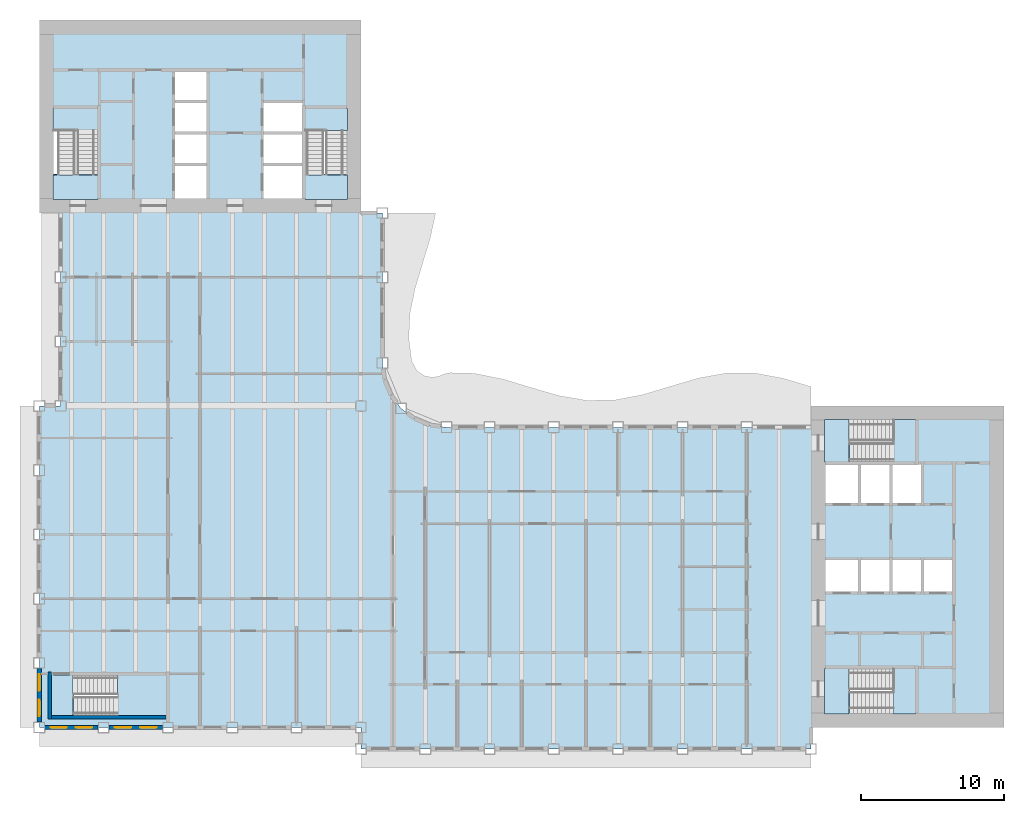
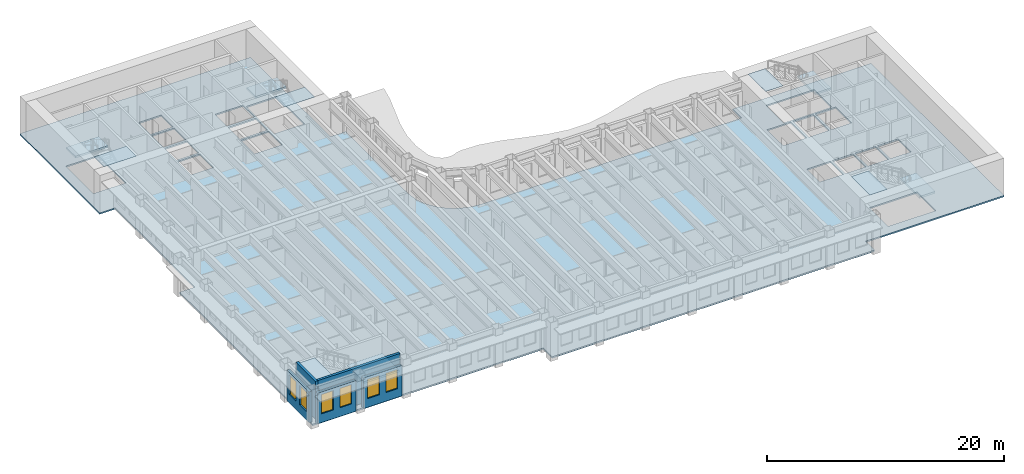
# One storey, part 2 of 17: 11 slabs, 6 windows, 5 walls, 6 openings, 5 elements without a shape of their own.
"""IFC4 building model written with IfcOpenShell, lengths in metres."""

from ifc_helpers import new_model, si_unit, direction, frame, frame_2d, origin, place, context, subcontext, project, spatial, polyline, rectangle, outline, extrude, material, layer, layer_set, type_object, element, fill, aggregate, save


model = new_model("IFC4")

# Units and contexts
model_context = context("Model", 3, precision=1e-05, world=origin(), true_north=direction((0.0, 1.0)))
body_context = subcontext(model_context, "Body", "Model", "MODEL_VIEW")
ifc_project = project(units=[si_unit("LENGTHUNIT", "METRE"), si_unit("AREAUNIT", "SQUARE_METRE"), si_unit("VOLUMEUNIT", "CUBIC_METRE"), si_unit("PLANEANGLEUNIT", "RADIAN"), si_unit("MASSUNIT", "GRAM", prefix="KILO")], contexts=[model_context])

# Site, building, storey
site_placement = place(None, origin())
site = spatial("IfcSite", under=ifc_project, at=site_placement, CompositionType="ELEMENT")
building_placement = place(site_placement, origin())
building = spatial("IfcBuilding", under=site, at=building_placement, Name="Sennacour Bend Tower", CompositionType="ELEMENT")
storey_placement = place(building_placement, frame((0.0, 0.0, 219.0)))
storey = spatial("IfcBuildingStorey", under=building, at=storey_placement, Name="L50", CompositionType="ELEMENT", Elevation=219.0)

# Slabs
ifc_material_1 = material(Name="Concrete C30/37", Category="concrete")
ifc_layer_1 = layer(ifc_material_1, 0.14990234375, Name="Concrete C30/37", Category="concrete")
ifc_layer_set_1 = layer_set([ifc_layer_1], Name="Concrete C30/37")
slab_type_1 = type_object("IfcSlabType", Name="Floor slab 150", PredefinedType="FLOOR", material=ifc_layer_set_1)
slab_1_placement = place(storey_placement, frame((0.0, 0.0, -0.14990234375)))
element("IfcSlab", 1, at=slab_1_placement, inside=storey, type_object=slab_type_1, Name="Floor slab L50-01", PredefinedType="FLOOR", context=body_context, shape_type="SweptSolid", body=[
    extrude(outline(polyline([(22.5, 0.0), (0.0, 0.0), (0.0, 22.5), (1.5, 22.5), (1.5, 36.0), (0.0, 36.0), (0.0, 49.5), (22.5, 49.5), (22.5, 36.0), (24.0, 36.0), (24.0, 25.5), (24.1533203125, 24.335205078125), (24.602783203125, 23.25), (25.318115234375, 22.318115234375), (26.25, 21.602783203125), (27.335205078125, 21.1533203125), (28.5, 21.0), (54.0, 21.0), (54.0, 22.5), (67.5, 22.5), (67.5, 0.0), (54.0, 0.0), (54.0, -1.5), (22.5, -1.5), (22.5, 0.0)]), holes=[polyline([(8.800048828125, 0.949951171875), (8.800048828125, 3.5), (2.429931640625, 3.5), (2.429931640625, 0.949951171875), (8.800048828125, 0.949951171875)]), polyline([(11.699951171875, 37.0), (11.699951171875, 39.300048828125), (9.5, 39.300048828125), (9.5, 37.0), (11.699951171875, 37.0)]), polyline([(18.39990234375, 37.0), (18.39990234375, 39.300048828125), (15.699951171875, 39.300048828125), (15.699951171875, 37.0), (18.39990234375, 37.0)]), polyline([(11.699951171875, 39.5), (11.699951171875, 41.5), (9.5, 41.5), (9.5, 39.5), (11.699951171875, 39.5)]), polyline([(18.39990234375, 39.5), (18.39990234375, 41.5), (15.699951171875, 41.5), (15.699951171875, 39.5), (18.39990234375, 39.5)]), polyline([(4.125, 38.72998046875), (4.125, 43.39990234375), (0.949951171875, 43.39990234375), (0.949951171875, 38.72998046875), (4.125, 38.72998046875)]), polyline([(21.550048828125, 38.72998046875), (21.550048828125, 43.39990234375), (18.574951171875, 43.39990234375), (18.574951171875, 38.72998046875), (21.550048828125, 38.72998046875)]), polyline([(9.5, 41.699951171875), (11.699951171875, 41.699951171875), (11.699951171875, 43.699951171875), (9.5, 43.699951171875), (9.5, 41.699951171875)]), polyline([(15.699951171875, 41.699951171875), (18.39990234375, 41.699951171875), (18.39990234375, 43.699951171875), (15.699951171875, 43.699951171875), (15.699951171875, 41.699951171875)]), polyline([(11.699951171875, 43.89990234375), (11.699951171875, 45.89990234375), (9.5, 45.89990234375), (9.5, 43.89990234375), (11.699951171875, 43.89990234375)]), polyline([(61.39990234375, 0.949951171875), (61.39990234375, 4.125), (56.72998046875, 4.125), (56.72998046875, 0.949951171875), (61.39990234375, 0.949951171875)]), polyline([(57.300048828125, 9.5), (57.300048828125, 11.699951171875), (55.0, 11.699951171875), (55.0, 9.5), (57.300048828125, 9.5)]), polyline([(57.5, 9.5), (59.5, 9.5), (59.5, 11.699951171875), (57.5, 11.699951171875), (57.5, 9.5)]), polyline([(59.699951171875, 9.5), (61.699951171875, 9.5), (61.699951171875, 11.699951171875), (59.699951171875, 11.699951171875), (59.699951171875, 9.5)]), polyline([(63.89990234375, 9.5), (63.89990234375, 11.699951171875), (61.89990234375, 11.699951171875), (61.89990234375, 9.5), (63.89990234375, 9.5)]), polyline([(57.300048828125, 15.699951171875), (57.300048828125, 18.39990234375), (55.0, 18.39990234375), (55.0, 15.699951171875), (57.300048828125, 15.699951171875)]), polyline([(59.5, 15.699951171875), (59.5, 18.39990234375), (57.5, 18.39990234375), (57.5, 15.699951171875), (59.5, 15.699951171875)]), polyline([(59.699951171875, 15.699951171875), (61.699951171875, 15.699951171875), (61.699951171875, 18.39990234375), (59.699951171875, 18.39990234375), (59.699951171875, 15.699951171875)]), polyline([(56.72998046875, 18.574951171875), (61.39990234375, 18.574951171875), (61.39990234375, 21.550048828125), (56.72998046875, 21.550048828125), (56.72998046875, 18.574951171875)])]), origin(), (0.0, 0.0, 1.0), 0.14990234375),
])
ifc_material_2 = material(Name="Concrete C40/50", Category="concrete")
ifc_layer_2 = layer(ifc_material_2, 0.034912109375, Name="Concrete C40/50", Category="concrete")
ifc_layer_set_2 = layer_set([ifc_layer_2], Name="Concrete C40/50")
slab_type_2 = type_object("IfcSlabType", Name="Stair arrival nib 35", PredefinedType="FLOOR", material=ifc_layer_set_2)
slab_2_placement = place(storey_placement, frame((0.0, 0.0, 3.815185546875)))
element("IfcSlab", 2, at=slab_2_placement, inside=storey, type_object=slab_type_2, Name="L50 SA1 stair arrival nib", PredefinedType="FLOOR", context=body_context, shape_type="SweptSolid", body=[
    extrude(outline(polyline([(56.64208984375, 4.125), (54.949951171875, 4.125), (54.949951171875, 0.949951171875), (56.64208984375, 0.949951171875), (56.64208984375, 4.125)])), origin(), (0.0, 0.0, 1.0), 0.034912109375),
])
slab_3_placement = place(storey_placement, frame((0.0, 0.0, 3.815185546875)))
element("IfcSlab", 3, at=slab_3_placement, inside=storey, type_object=slab_type_2, Name="L50 SA2 stair arrival nib", PredefinedType="FLOOR", context=body_context, shape_type="SweptSolid", body=[
    extrude(outline(polyline([(56.64208984375, 21.550048828125), (54.949951171875, 21.550048828125), (54.949951171875, 18.574951171875), (56.64208984375, 18.574951171875), (56.64208984375, 21.550048828125)])), origin(), (0.0, 0.0, 1.0), 0.034912109375),
])
slab_4_placement = place(storey_placement, frame((0.0, 0.0, 3.815185546875)))
element("IfcSlab", 4, at=slab_4_placement, inside=storey, type_object=slab_type_2, Name="L50 SB1 stair arrival nib", PredefinedType="FLOOR", context=body_context, shape_type="SweptSolid", body=[
    extrude(outline(polyline([(0.949951171875, 38.64208984375), (0.949951171875, 36.949951171875), (4.125, 36.949951171875), (4.125, 38.64208984375), (0.949951171875, 38.64208984375)])), origin(), (0.0, 0.0, 1.0), 0.034912109375),
])
slab_5_placement = place(storey_placement, frame((0.0, 0.0, 3.815185546875)))
element("IfcSlab", 5, at=slab_5_placement, inside=storey, type_object=slab_type_2, Name="L50 SB2 stair arrival nib", PredefinedType="FLOOR", context=body_context, shape_type="SweptSolid", body=[
    extrude(outline(polyline([(18.574951171875, 38.64208984375), (18.574951171875, 36.949951171875), (21.550048828125, 36.949951171875), (21.550048828125, 38.64208984375), (18.574951171875, 38.64208984375)])), origin(), (0.0, 0.0, 1.0), 0.034912109375),
])
slab_6_placement = place(storey_placement, frame((0.0, 0.0, 3.815185546875)))
element("IfcSlab", 6, at=slab_6_placement, inside=storey, type_object=slab_type_2, Name="L50 SK1 stair arrival nib", PredefinedType="FLOOR", context=body_context, shape_type="SweptSolid", body=[
    extrude(outline(polyline([(2.342041015625, 3.675048828125), (0.800048828125, 3.675048828125), (0.800048828125, 0.800048828125), (2.342041015625, 0.800048828125), (2.342041015625, 3.675048828125)])), origin(), (0.0, 0.0, 1.0), 0.034912109375),
])

# Stair, slab
stair_type = type_object("IfcStairType", Name="ST-DOGLEG", PredefinedType="HALF_TURN_STAIR", material=ifc_material_2)
stair_1_placement = place(storey_placement, origin())
stair_1 = element("IfcStair", 7, at=stair_1_placement, inside=storey, type_object=stair_type, Name="L50 Exit stair A1", PredefinedType="HALF_TURN_STAIR")
ifc_layer_3 = layer(ifc_material_2, 0.199951171875, Name="Concrete C40/50", Category="concrete")
ifc_layer_set_3 = layer_set([ifc_layer_3], Name="Concrete C40/50")
slab_type_3 = type_object("IfcSlabType", Name="Stair landing 200", PredefinedType="LANDING", material=ifc_layer_set_3)
slab_7_placement = place(storey_placement, frame((0.0, 0.0, 1.800048828125)))
slab_7 = element("IfcSlab", 8, at=slab_7_placement, type_object=slab_type_3, Name="SA1 landing 1", PredefinedType="LANDING", context=body_context, shape_type="SweptSolid", body=[
    extrude(outline(polyline([(59.780029296875, 0.949951171875), (61.324951171875, 0.949951171875), (61.324951171875, 4.125), (59.780029296875, 4.125), (59.780029296875, 0.949951171875)])), origin(), (0.0, 0.0, 1.0), 0.199951171875),
])
aggregate(stair_1, [slab_7])

stair_2_placement = place(storey_placement, origin())
stair_2 = element("IfcStair", 9, at=stair_2_placement, inside=storey, type_object=stair_type, Name="L50 Exit stair A2", PredefinedType="HALF_TURN_STAIR")
slab_8_placement = place(storey_placement, frame((0.0, 0.0, 1.800048828125)))
slab_8 = element("IfcSlab", 10, at=slab_8_placement, type_object=slab_type_3, Name="SA2 landing 1", PredefinedType="LANDING", context=body_context, shape_type="SweptSolid", body=[
    extrude(outline(polyline([(59.780029296875, 18.574951171875), (61.324951171875, 18.574951171875), (61.324951171875, 21.550048828125), (59.780029296875, 21.550048828125), (59.780029296875, 18.574951171875)])), origin(), (0.0, 0.0, 1.0), 0.199951171875),
])
aggregate(stair_2, [slab_8])

stair_3_placement = place(storey_placement, origin())
stair_3 = element("IfcStair", 11, at=stair_3_placement, inside=storey, type_object=stair_type, Name="L50 Exit stair B1", PredefinedType="HALF_TURN_STAIR")
slab_9_placement = place(storey_placement, frame((0.0, 0.0, 1.800048828125)))
slab_9 = element("IfcSlab", 12, at=slab_9_placement, type_object=slab_type_3, Name="SB1 landing 1", PredefinedType="LANDING", context=body_context, shape_type="SweptSolid", body=[
    extrude(outline(polyline([(0.949951171875, 41.780029296875), (4.125, 41.780029296875), (4.125, 43.324951171875), (0.949951171875, 43.324951171875), (0.949951171875, 41.780029296875)])), origin(), (0.0, 0.0, 1.0), 0.199951171875),
])
aggregate(stair_3, [slab_9])

stair_4_placement = place(storey_placement, origin())
stair_4 = element("IfcStair", 13, at=stair_4_placement, inside=storey, type_object=stair_type, Name="L50 Exit stair B2", PredefinedType="HALF_TURN_STAIR")
slab_10_placement = place(storey_placement, frame((0.0, 0.0, 1.800048828125)))
slab_10 = element("IfcSlab", 14, at=slab_10_placement, type_object=slab_type_3, Name="SB2 landing 1", PredefinedType="LANDING", context=body_context, shape_type="SweptSolid", body=[
    extrude(outline(polyline([(18.574951171875, 41.780029296875), (21.550048828125, 41.780029296875), (21.550048828125, 43.324951171875), (18.574951171875, 43.324951171875), (18.574951171875, 41.780029296875)])), origin(), (0.0, 0.0, 1.0), 0.199951171875),
])
aggregate(stair_4, [slab_10])

stair_5_placement = place(storey_placement, origin())
stair_5 = element("IfcStair", 15, at=stair_5_placement, inside=storey, type_object=stair_type, Name="L50 Exit stair K1", PredefinedType="HALF_TURN_STAIR")
slab_11_placement = place(storey_placement, frame((0.0, 0.0, 1.800048828125)))
slab_11 = element("IfcSlab", 16, at=slab_11_placement, type_object=slab_type_3, Name="SK1 landing 1", PredefinedType="LANDING", context=body_context, shape_type="SweptSolid", body=[
    extrude(outline(polyline([(5.47998046875, 0.800048828125), (8.925048828125, 0.800048828125), (8.925048828125, 3.675048828125), (5.47998046875, 3.675048828125), (5.47998046875, 0.800048828125)])), origin(), (0.0, 0.0, 1.0), 0.199951171875),
])
aggregate(stair_5, [slab_11])

# Wall, openings, windows
ifc_material_3 = material(Name="Warm limestone cladding", Category="masonry")
ifc_layer_4 = layer(ifc_material_3, 0.050048828125, Name="Warm limestone cladding", Category="masonry")
ifc_material_4 = material(Name="Precast concrete C40/50", Category="concrete")
ifc_layer_5 = layer(ifc_material_4, 0.25, Name="Precast concrete C40/50", Category="concrete")
ifc_layer_set_4 = layer_set([ifc_layer_4, ifc_layer_5], Name="Precast concrete C40/50 with limestone cladding")
wall_type_1 = type_object("IfcWallType", Name="STONE-CLAD PRECAST SPANDREL 300", PredefinedType="STANDARD", material=ifc_layer_set_4)
wall_1_placement = place(storey_placement, frame((0.0, 4.125, 0.0), z_axis=(0.0, 0.0, 1.0), x_axis=(0.0, -1.0, 0.0)))
wall_1 = element("IfcWall", 17, at=wall_1_placement, inside=storey, type_object=wall_type_1, Name="Stone spandrel and pier wall L50 21.04", PredefinedType="STANDARD", context=body_context, shape_type="SweptSolid", body=[
    extrude(rectangle(XDim=3.75, YDim=0.300048828125, at=frame_2d((1.875, 0.0))), origin(), (0.0, 0.0, 1.0), 3.156982421875),
])
opening_1_placement = place(wall_1_placement, frame((0.41259765625, 0.0, 0.89990234375)))
opening_1 = element("IfcOpeningElement", 18, at=opening_1_placement, cuts=wall_1, Name="Opening W24", PredefinedType="OPENING", context=body_context, shape_type="SweptSolid", body=[
    extrude(rectangle(XDim=1.14990234375, YDim=2.0, at=frame_2d((0.574951171875, 1.0))), frame((0.0, 0.16015625, 0.0), z_axis=(0.0, -1.0, 0.0), x_axis=(1.0, 0.0, 0.0)), (0.0, 0.0, 1.0), 0.320068359375),
])
opening_2_placement = place(wall_1_placement, frame((2.1875, 0.0, 0.89990234375)))
opening_2 = element("IfcOpeningElement", 19, at=opening_2_placement, cuts=wall_1, Name="Opening W24", PredefinedType="OPENING", context=body_context, shape_type="SweptSolid", body=[
    extrude(rectangle(XDim=1.14990234375, YDim=2.0, at=frame_2d((0.574951171875, 1.0))), frame((0.0, 0.16015625, 0.0), z_axis=(0.0, -1.0, 0.0), x_axis=(1.0, 0.0, 0.0)), (0.0, 0.0, 1.0), 0.320068359375),
])
ifc_material_5 = material(Name="Clear low-emissivity glass", Category="glass")
window_type = type_object("IfcWindowType", Name="WIN-RIBBON-1150x2000", PartitioningType="SINGLE_PANEL", PredefinedType="WINDOW", material=ifc_material_5)
window_1_placement = place(opening_1_placement, origin())
window_1 = element("IfcWindow", 20, at=window_1_placement, inside=storey, type_object=window_type, Name="Ribbon window L50 21.04.0", OverallHeight=2.0, OverallWidth=1.14990234375, PartitioningType="SINGLE_PANEL", PredefinedType="WINDOW", context=body_context, shape_type="SweptSolid", body=[
    extrude(rectangle(XDim=1.14990234375, YDim=2.0, at=frame_2d((0.574951171875, 1.0))), frame((0.0, 0.030029296875, 0.0), z_axis=(0.0, -1.0, 0.0), x_axis=(1.0, 0.0, 0.0)), (0.0, 0.0, 1.0), 0.06005859375),
])
fill(opening_1, window_1)
window_2_placement = place(opening_2_placement, origin())
window_2 = element("IfcWindow", 21, at=window_2_placement, inside=storey, type_object=window_type, Name="Ribbon window L50 21.04.1", OverallHeight=2.0, OverallWidth=1.14990234375, PartitioningType="SINGLE_PANEL", PredefinedType="WINDOW", context=body_context, shape_type="SweptSolid", body=[
    extrude(rectangle(XDim=1.14990234375, YDim=2.0, at=frame_2d((0.574951171875, 1.0))), frame((0.0, 0.030029296875, 0.0), z_axis=(0.0, -1.0, 0.0), x_axis=(1.0, 0.0, 0.0)), (0.0, 0.0, 1.0), 0.06005859375),
])
fill(opening_2, window_2)

wall_2_placement = place(storey_placement, frame((0.375, 0.0, 0.0), z_axis=(0.0, 0.0, 1.0), x_axis=(1.0, 0.0, 0.0)))
wall_2 = element("IfcWall", 22, at=wall_2_placement, inside=storey, type_object=wall_type_1, Name="Stone spandrel and pier wall L50 22.00", PredefinedType="STANDARD", context=body_context, shape_type="SweptSolid", body=[
    extrude(rectangle(XDim=3.75, YDim=0.300048828125, at=frame_2d((1.875, 0.0))), origin(), (0.0, 0.0, 1.0), 3.156982421875),
])
opening_3_placement = place(wall_2_placement, frame((0.41259765625, 0.0, 0.89990234375)))
opening_3 = element("IfcOpeningElement", 23, at=opening_3_placement, cuts=wall_2, Name="Opening W24", PredefinedType="OPENING", context=body_context, shape_type="SweptSolid", body=[
    extrude(rectangle(XDim=1.14990234375, YDim=2.0, at=frame_2d((0.574951171875, 1.0))), frame((0.0, 0.16015625, 0.0), z_axis=(0.0, -1.0, 0.0), x_axis=(1.0, 0.0, 0.0)), (0.0, 0.0, 1.0), 0.320068359375),
])
opening_4_placement = place(wall_2_placement, frame((2.1875, 0.0, 0.89990234375)))
opening_4 = element("IfcOpeningElement", 24, at=opening_4_placement, cuts=wall_2, Name="Opening W24", PredefinedType="OPENING", context=body_context, shape_type="SweptSolid", body=[
    extrude(rectangle(XDim=1.14990234375, YDim=2.0, at=frame_2d((0.574951171875, 1.0))), frame((0.0, 0.16015625, 0.0), z_axis=(0.0, -1.0, 0.0), x_axis=(1.0, 0.0, 0.0)), (0.0, 0.0, 1.0), 0.320068359375),
])
window_3_placement = place(opening_3_placement, origin())
window_3 = element("IfcWindow", 25, at=window_3_placement, inside=storey, type_object=window_type, Name="Ribbon window L50 22.00.0", OverallHeight=2.0, OverallWidth=1.14990234375, PartitioningType="SINGLE_PANEL", PredefinedType="WINDOW", context=body_context, shape_type="SweptSolid", body=[
    extrude(rectangle(XDim=1.14990234375, YDim=2.0, at=frame_2d((0.574951171875, 1.0))), frame((0.0, 0.030029296875, 0.0), z_axis=(0.0, -1.0, 0.0), x_axis=(1.0, 0.0, 0.0)), (0.0, 0.0, 1.0), 0.06005859375),
])
fill(opening_3, window_3)
window_4_placement = place(opening_4_placement, origin())
window_4 = element("IfcWindow", 26, at=window_4_placement, inside=storey, type_object=window_type, Name="Ribbon window L50 22.00.1", OverallHeight=2.0, OverallWidth=1.14990234375, PartitioningType="SINGLE_PANEL", PredefinedType="WINDOW", context=body_context, shape_type="SweptSolid", body=[
    extrude(rectangle(XDim=1.14990234375, YDim=2.0, at=frame_2d((0.574951171875, 1.0))), frame((0.0, 0.030029296875, 0.0), z_axis=(0.0, -1.0, 0.0), x_axis=(1.0, 0.0, 0.0)), (0.0, 0.0, 1.0), 0.06005859375),
])
fill(opening_4, window_4)

wall_3_placement = place(storey_placement, frame((4.875, 0.0, 0.0), z_axis=(0.0, 0.0, 1.0), x_axis=(1.0, 0.0, 0.0)))
wall_3 = element("IfcWall", 27, at=wall_3_placement, inside=storey, type_object=wall_type_1, Name="Stone spandrel and pier wall L50 22.01", PredefinedType="STANDARD", context=body_context, shape_type="SweptSolid", body=[
    extrude(rectangle(XDim=3.75, YDim=0.300048828125, at=frame_2d((1.875, 0.0))), origin(), (0.0, 0.0, 1.0), 3.156982421875),
])
opening_5_placement = place(wall_3_placement, frame((0.41259765625, 0.0, 0.89990234375)))
opening_5 = element("IfcOpeningElement", 28, at=opening_5_placement, cuts=wall_3, Name="Opening W24", PredefinedType="OPENING", context=body_context, shape_type="SweptSolid", body=[
    extrude(rectangle(XDim=1.14990234375, YDim=2.0, at=frame_2d((0.574951171875, 1.0))), frame((0.0, 0.16015625, 0.0), z_axis=(0.0, -1.0, 0.0), x_axis=(1.0, 0.0, 0.0)), (0.0, 0.0, 1.0), 0.320068359375),
])
opening_6_placement = place(wall_3_placement, frame((2.1875, 0.0, 0.89990234375)))
opening_6 = element("IfcOpeningElement", 29, at=opening_6_placement, cuts=wall_3, Name="Opening W24", PredefinedType="OPENING", context=body_context, shape_type="SweptSolid", body=[
    extrude(rectangle(XDim=1.14990234375, YDim=2.0, at=frame_2d((0.574951171875, 1.0))), frame((0.0, 0.16015625, 0.0), z_axis=(0.0, -1.0, 0.0), x_axis=(1.0, 0.0, 0.0)), (0.0, 0.0, 1.0), 0.320068359375),
])
window_5_placement = place(opening_5_placement, origin())
window_5 = element("IfcWindow", 30, at=window_5_placement, inside=storey, type_object=window_type, Name="Ribbon window L50 22.01.0", OverallHeight=2.0, OverallWidth=1.14990234375, PartitioningType="SINGLE_PANEL", PredefinedType="WINDOW", context=body_context, shape_type="SweptSolid", body=[
    extrude(rectangle(XDim=1.14990234375, YDim=2.0, at=frame_2d((0.574951171875, 1.0))), frame((0.0, 0.030029296875, 0.0), z_axis=(0.0, -1.0, 0.0), x_axis=(1.0, 0.0, 0.0)), (0.0, 0.0, 1.0), 0.06005859375),
])
fill(opening_5, window_5)
window_6_placement = place(opening_6_placement, origin())
window_6 = element("IfcWindow", 31, at=window_6_placement, inside=storey, type_object=window_type, Name="Ribbon window L50 22.01.1", OverallHeight=2.0, OverallWidth=1.14990234375, PartitioningType="SINGLE_PANEL", PredefinedType="WINDOW", context=body_context, shape_type="SweptSolid", body=[
    extrude(rectangle(XDim=1.14990234375, YDim=2.0, at=frame_2d((0.574951171875, 1.0))), frame((0.0, 0.030029296875, 0.0), z_axis=(0.0, -1.0, 0.0), x_axis=(1.0, 0.0, 0.0)), (0.0, 0.0, 1.0), 0.06005859375),
])
fill(opening_6, window_6)

# Walls
ifc_material_6 = material(Name="Concrete C60/75", Category="concrete")
ifc_layer_6 = layer(ifc_material_6, 0.25, Name="Concrete C60/75", Category="concrete")
ifc_layer_set_5 = layer_set([ifc_layer_6], Name="Concrete C60/75")
wall_type_2 = type_object("IfcWallType", Name="Stair wall 250", PredefinedType="SHEAR", material=ifc_layer_set_5)
wall_4_placement = place(storey_placement, frame((0.72509765625, 0.60009765625, 0.0), z_axis=(0.0, 0.0, 1.0), x_axis=(0.0, 1.0, 0.0)))
element("IfcWall", 32, at=wall_4_placement, inside=storey, type_object=wall_type_2, Name="P-L50-W002", PredefinedType="SHEAR", context=body_context, shape_type="SweptSolid", body=[
    extrude(rectangle(XDim=3.27490234375, YDim=0.25, at=frame_2d((1.637451171875, 0.0))), origin(), (0.0, 0.0, 1.0), 3.85009765625),
])
wall_5_placement = place(storey_placement, frame((0.85009765625, 0.72509765625, 0.0), z_axis=(0.0, 0.0, 1.0), x_axis=(1.0, 0.0, 0.0)))
element("IfcWall", 33, at=wall_5_placement, inside=storey, type_object=wall_type_2, Name="P-L50-W049", PredefinedType="SHEAR", context=body_context, shape_type="SweptSolid", body=[
    extrude(rectangle(XDim=8.02490234375, YDim=0.25, at=frame_2d((4.012451171875, 0.0))), origin(), (0.0, 0.0, 1.0), 3.85009765625),
])

save(model, "model.ifc")
